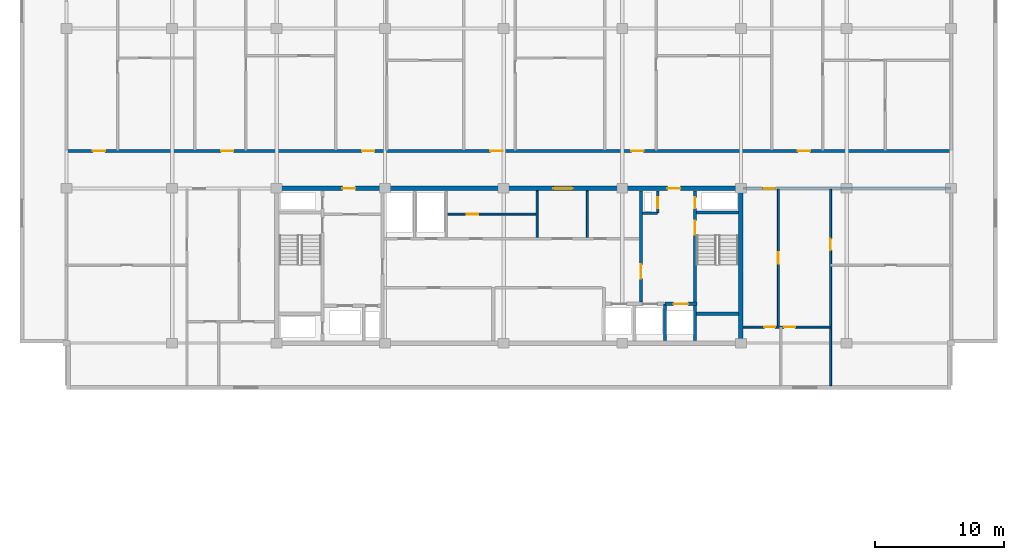
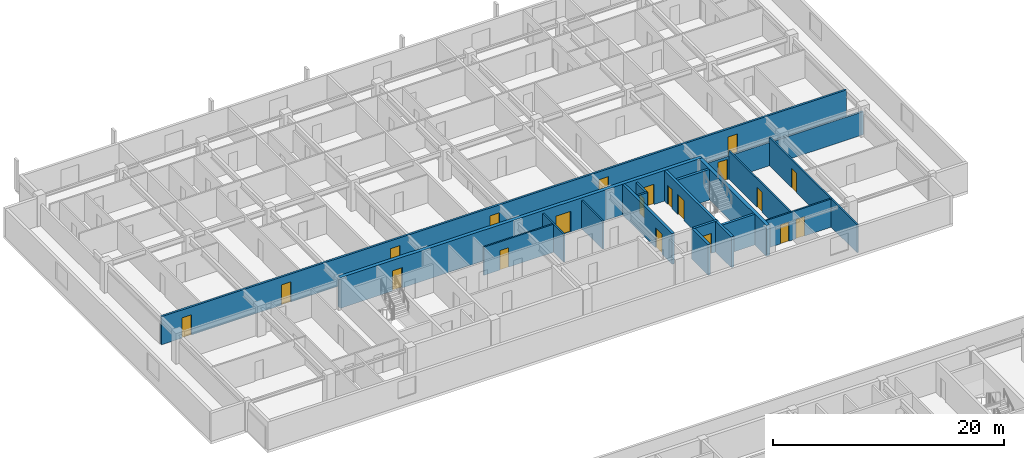
# One storey, part 10 of 17: 20 doors, 18 walls, 20 openings.
"""IFC4 building model written with IfcOpenShell, lengths in metres."""

from ifc_helpers import new_model, si_unit, direction, frame, frame_2d, origin, place, context, subcontext, project, spatial, rectangle, extrude, material, layer, layer_set, type_object, element, fill, save


model = new_model("IFC4")

# Units and contexts
model_context = context("Model", 3, precision=1e-05, world=origin(), true_north=direction((0.0, 1.0)))
body_context = subcontext(model_context, "Body", "Model", "MODEL_VIEW")
ifc_project = project(units=[si_unit("LENGTHUNIT", "METRE"), si_unit("AREAUNIT", "SQUARE_METRE"), si_unit("VOLUMEUNIT", "CUBIC_METRE"), si_unit("PLANEANGLEUNIT", "RADIAN"), si_unit("MASSUNIT", "GRAM", prefix="KILO")], contexts=[model_context])

# Site, building, storey
site_placement = place(None, origin())
site = spatial("IfcSite", under=ifc_project, at=site_placement, CompositionType="ELEMENT")
building_placement = place(site_placement, origin())
building = spatial("IfcBuilding", under=site, at=building_placement, Name="Korimba Cascade Residences", CompositionType="ELEMENT")
storey_placement = place(building_placement, frame((0.0, 0.0, 204.35009765625)))
storey = spatial("IfcBuildingStorey", under=building, at=storey_placement, Name="L59", CompositionType="ELEMENT", Elevation=204.35009765625)

# Wall
ifc_material_1 = material(Name="Concrete C65/80", Category="concrete")
ifc_layer_1 = layer(ifc_material_1, 0.35009765625)
ifc_layer_set_1 = layer_set([ifc_layer_1], Name="Concrete C65/80")
wall_type_1 = type_object("IfcWallType", Name="WAL-CORE-350", PredefinedType="SHEAR", material=ifc_layer_set_1)
wall_1_placement = place(storey_placement, frame((112.074951171875, 55.375, 0.0), z_axis=(0.0, 0.0, 1.0), x_axis=(0.0, 1.0, 0.0)))
element("IfcWall", 1, at=wall_1_placement, inside=storey, type_object=wall_type_1, Name="L59 Core Shear Wall CW-L59-T1-E", PredefinedType="SHEAR", context=body_context, shape_type="SweptSolid", body=[
    extrude(rectangle(XDim=11.64990234375, YDim=0.35009765625, at=frame_2d((5.824951171875, 0.0))), origin(), (0.0, 0.0, 1.0), 3.25),
])

# Wall, openings, doors
wall_2_placement = place(storey_placement, frame((75.949951171875, 67.199951171875, 0.0), z_axis=(0.0, 0.0, 1.0), x_axis=(1.0, 0.0, 0.0)))
wall_2 = element("IfcWall", 2, at=wall_2_placement, inside=storey, type_object=wall_type_1, Name="L59 Core Shear Wall CW-L59-T1-N", PredefinedType="SHEAR", context=body_context, shape_type="SweptSolid", body=[
    extrude(rectangle(XDim=36.300048828125, YDim=0.35009765625, at=frame_2d((18.14990234375, 0.0))), origin(), (0.0, 0.0, 1.0), 3.25),
])
opening_1_placement = place(wall_2_placement, frame((5.25, 0.0, 0.0)))
opening_1 = element("IfcOpeningElement", 3, at=opening_1_placement, cuts=wall_2, Name="Opening D-FD5", PredefinedType="OPENING", context=body_context, shape_type="SweptSolid", body=[
    extrude(rectangle(XDim=1.0, YDim=2.14990234375, at=frame_2d((0.5, 1.074951171875))), frame((0.0, 0.18505859375, 0.0), z_axis=(0.0, -1.0, 0.0), x_axis=(1.0, 0.0, 0.0)), (0.0, 0.0, 1.0), 0.3701171875),
])
opening_2_placement = place(wall_2_placement, frame((21.60009765625, 0.0, 0.0)))
opening_2 = element("IfcOpeningElement", 4, at=opening_2_placement, cuts=wall_2, Name="Opening D-FD8", PredefinedType="OPENING", context=body_context, shape_type="SweptSolid", body=[
    extrude(rectangle(XDim=1.5, YDim=2.199951171875, at=frame_2d((0.75, 1.10009765625))), frame((0.0, 0.18505859375, 0.0), z_axis=(0.0, -1.0, 0.0), x_axis=(1.0, 0.0, 0.0)), (0.0, 0.0, 1.0), 0.3701171875),
])
opening_3_placement = place(wall_2_placement, frame((30.449951171875, 0.0, 0.0)))
opening_3 = element("IfcOpeningElement", 5, at=opening_3_placement, cuts=wall_2, Name="Opening D-FD5", PredefinedType="OPENING", context=body_context, shape_type="SweptSolid", body=[
    extrude(rectangle(XDim=1.0, YDim=2.14990234375, at=frame_2d((0.5, 1.074951171875))), frame((0.0, 0.18505859375, 0.0), z_axis=(0.0, -1.0, 0.0), x_axis=(1.0, 0.0, 0.0)), (0.0, 0.0, 1.0), 0.3701171875),
])
ifc_material_2 = material(Name="Fire-Rated Acoustic Timber Vestibule Door", Category="wood")
door_type_1 = type_object("IfcDoorType", Name="DR-FD90-1000", OperationType="NOTDEFINED", PredefinedType="DOOR", material=ifc_material_2)
door_1_placement = place(opening_1_placement, origin())
door_1 = element("IfcDoor", 6, at=door_1_placement, inside=storey, type_object=door_type_1, Name="L59 T1 West Core Vestibule Fire Door", OperationType="SINGLE_SWING_RIGHT", OverallHeight=2.14990234375, OverallWidth=1.0, PredefinedType="DOOR", context=body_context, shape_type="SweptSolid", body=[
    extrude(rectangle(XDim=1.0, YDim=2.14990234375, at=frame_2d((0.5, 1.074951171875))), frame((0.0, 0.02490234375, 0.0), z_axis=(0.0, -1.0, 0.0), x_axis=(1.0, 0.0, 0.0)), (0.0, 0.0, 1.0), 0.050048828125),
])
fill(opening_1, door_1)
door_2_placement = place(opening_3_placement, origin())
door_2 = element("IfcDoor", 7, at=door_2_placement, inside=storey, type_object=door_type_1, Name="L59 T1 East Firefighting Vestibule Fire Door", OperationType="SINGLE_SWING_LEFT", OverallHeight=2.14990234375, OverallWidth=1.0, PredefinedType="DOOR", context=body_context, shape_type="SweptSolid", body=[
    extrude(rectangle(XDim=1.0, YDim=2.14990234375, at=frame_2d((0.5, 1.074951171875))), frame((0.0, 0.02490234375, 0.0), z_axis=(0.0, -1.0, 0.0), x_axis=(1.0, 0.0, 0.0)), (0.0, 0.0, 1.0), 0.050048828125),
])
fill(opening_3, door_2)
ifc_material_3 = material(Name="Fire-Rated Glazed Lift Lobby Double Door", Category="glass")
door_type_2 = type_object("IfcDoorType", Name="DR-FD90-1500", OperationType="NOTDEFINED", PredefinedType="DOOR", material=ifc_material_3)
door_3_placement = place(opening_2_placement, origin())
door_3 = element("IfcDoor", 8, at=door_3_placement, inside=storey, type_object=door_type_2, Name="L59 T1 Lift Lobby Fire Door", OperationType="DOUBLE_DOOR_SINGLE_SWING", OverallHeight=2.199951171875, OverallWidth=1.5, PredefinedType="DOOR", context=body_context, shape_type="SweptSolid", body=[
    extrude(rectangle(XDim=1.5, YDim=2.199951171875, at=frame_2d((0.75, 1.10009765625))), frame((0.0, 0.02490234375, 0.0), z_axis=(0.0, -1.0, 0.0), x_axis=(1.0, 0.0, 0.0)), (0.0, 0.0, 1.0), 0.050048828125),
])
fill(opening_2, door_3)

# Wall, opening, door
ifc_material_4 = material(Name="Precast concrete C40/50", Category="concrete")
ifc_layer_2 = layer(ifc_material_4, 0.199951171875)
ifc_layer_set_2 = layer_set([ifc_layer_2], Name="Precast concrete C40/50")
wall_type_2 = type_object("IfcWallType", Name="WAL-IT-200", PredefinedType="PARTITIONING", material=ifc_layer_set_2)
wall_3_placement = place(storey_placement, frame((112.25, 67.199951171875, 0.0), z_axis=(0.0, 0.0, 1.0), x_axis=(1.0, 0.0, 0.0)))
wall_3 = element("IfcWall", 9, at=wall_3_placement, inside=storey, type_object=wall_type_2, Name="L59 Partition Wall WAL-L59-T1-FE-N", PredefinedType="PARTITIONING", context=body_context, shape_type="SweptSolid", body=[
    extrude(rectangle(XDim=16.14990234375, YDim=0.199951171875, at=frame_2d((8.074951171875, 0.0))), origin(), (0.0, 0.0, 1.0), 2.443115234375),
])
opening_4_placement = place(wall_3_placement, frame((1.580078125, 0.0, 0.0)))
opening_4 = element("IfcOpeningElement", 10, at=opening_4_placement, cuts=wall_3, Name="Opening D-UN1", PredefinedType="OPENING", context=body_context, shape_type="SweptSolid", body=[
    extrude(rectangle(XDim=0.949951171875, YDim=2.14990234375, at=frame_2d((0.47509765625, 1.074951171875))), frame((0.0, 0.10986328125, 0.0), z_axis=(0.0, -1.0, 0.0), x_axis=(1.0, 0.0, 0.0)), (0.0, 0.0, 1.0), 0.219970703125),
])
ifc_material_5 = material(Name="Fire-Rated Hardwood Apartment Entrance Door", Category="wood")
door_type_3 = type_object("IfcDoorType", Name="DR-FD60-950", OperationType="NOTDEFINED", PredefinedType="DOOR", material=ifc_material_5)
door_4_placement = place(opening_4_placement, origin())
door_4 = element("IfcDoor", 11, at=door_4_placement, inside=storey, type_object=door_type_3, Name="L59-T1-FE Entrance Door", OperationType="SINGLE_SWING_RIGHT", OverallHeight=2.14990234375, OverallWidth=0.949951171875, PredefinedType="DOOR", context=body_context, shape_type="SweptSolid", body=[
    extrude(rectangle(XDim=0.949951171875, YDim=2.14990234375, at=frame_2d((0.47509765625, 1.074951171875))), frame((0.0, 0.02490234375, 0.0), z_axis=(0.0, -1.0, 0.0), x_axis=(1.0, 0.0, 0.0)), (0.0, 0.0, 1.0), 0.050048828125),
])
fill(opening_4, door_4)

# Wall, openings, doors
wall_4_placement = place(storey_placement, frame((59.800048828125, 70.10009765625, 0.0), z_axis=(0.0, 0.0, 1.0), x_axis=(1.0, 0.0, 0.0)))
wall_4 = element("IfcWall", 12, at=wall_4_placement, inside=storey, type_object=wall_type_2, Name="L59 Partition Wall WAL-L59-T1-CORN", PredefinedType="PARTITIONING", context=body_context, shape_type="SweptSolid", body=[
    extrude(rectangle(XDim=68.599853515625, YDim=0.199951171875, at=frame_2d((34.2998046875, 0.0))), origin(), (0.0, 0.0, 1.0), 2.97998046875),
])
opening_5_placement = place(wall_4_placement, frame((2.044921875, 0.0, 0.0)))
opening_5 = element("IfcOpeningElement", 13, at=opening_5_placement, cuts=wall_4, Name="Opening D-UN1", PredefinedType="OPENING", context=body_context, shape_type="SweptSolid", body=[
    extrude(rectangle(XDim=0.949951171875, YDim=2.14990234375, at=frame_2d((0.47509765625, 1.074951171875))), frame((0.0, 0.10986328125, 0.0), z_axis=(0.0, -1.0, 0.0), x_axis=(1.0, 0.0, 0.0)), (0.0, 0.0, 1.0), 0.219970703125),
])
opening_6_placement = place(wall_4_placement, frame((11.987060546875, 0.0, 0.0)))
opening_6 = element("IfcOpeningElement", 14, at=opening_6_placement, cuts=wall_4, Name="Opening D-UN1", PredefinedType="OPENING", context=body_context, shape_type="SweptSolid", body=[
    extrude(rectangle(XDim=0.949951171875, YDim=2.14990234375, at=frame_2d((0.47509765625, 1.074951171875))), frame((0.0, 0.10986328125, 0.0), z_axis=(0.0, -1.0, 0.0), x_axis=(1.0, 0.0, 0.0)), (0.0, 0.0, 1.0), 0.219970703125),
])
opening_7_placement = place(wall_4_placement, frame((22.923095703125, 0.0, 0.0)))
opening_7 = element("IfcOpeningElement", 15, at=opening_7_placement, cuts=wall_4, Name="Opening D-UN1", PredefinedType="OPENING", context=body_context, shape_type="SweptSolid", body=[
    extrude(rectangle(XDim=0.949951171875, YDim=2.14990234375, at=frame_2d((0.47509765625, 1.074951171875))), frame((0.0, 0.10986328125, 0.0), z_axis=(0.0, -1.0, 0.0), x_axis=(1.0, 0.0, 0.0)), (0.0, 0.0, 1.0), 0.219970703125),
])
opening_8_placement = place(wall_4_placement, frame((32.865234375, 0.0, 0.0)))
opening_8 = element("IfcOpeningElement", 16, at=opening_8_placement, cuts=wall_4, Name="Opening D-UN1", PredefinedType="OPENING", context=body_context, shape_type="SweptSolid", body=[
    extrude(rectangle(XDim=0.949951171875, YDim=2.14990234375, at=frame_2d((0.47509765625, 1.074951171875))), frame((0.0, 0.10986328125, 0.0), z_axis=(0.0, -1.0, 0.0), x_axis=(1.0, 0.0, 0.0)), (0.0, 0.0, 1.0), 0.219970703125),
])
opening_9_placement = place(wall_4_placement, frame((43.801513671875, 0.0, 0.0)))
opening_9 = element("IfcOpeningElement", 17, at=opening_9_placement, cuts=wall_4, Name="Opening D-UN1", PredefinedType="OPENING", context=body_context, shape_type="SweptSolid", body=[
    extrude(rectangle(XDim=0.949951171875, YDim=2.14990234375, at=frame_2d((0.47509765625, 1.074951171875))), frame((0.0, 0.10986328125, 0.0), z_axis=(0.0, -1.0, 0.0), x_axis=(1.0, 0.0, 0.0)), (0.0, 0.0, 1.0), 0.219970703125),
])
opening_10_placement = place(wall_4_placement, frame((56.72607421875, 0.0, 0.0)))
opening_10 = element("IfcOpeningElement", 18, at=opening_10_placement, cuts=wall_4, Name="Opening D-UN1", PredefinedType="OPENING", context=body_context, shape_type="SweptSolid", body=[
    extrude(rectangle(XDim=0.949951171875, YDim=2.14990234375, at=frame_2d((0.47509765625, 1.074951171875))), frame((0.0, 0.10986328125, 0.0), z_axis=(0.0, -1.0, 0.0), x_axis=(1.0, 0.0, 0.0)), (0.0, 0.0, 1.0), 0.219970703125),
])
door_5_placement = place(opening_5_placement, origin())
door_5 = element("IfcDoor", 19, at=door_5_placement, inside=storey, type_object=door_type_3, Name="Unit L59-T1-U01 Entrance Door", OperationType="SINGLE_SWING_LEFT", OverallHeight=2.14990234375, OverallWidth=0.949951171875, PredefinedType="DOOR", context=body_context, shape_type="SweptSolid", body=[
    extrude(rectangle(XDim=0.949951171875, YDim=2.14990234375, at=frame_2d((0.47509765625, 1.074951171875))), frame((0.0, 0.02490234375, 0.0), z_axis=(0.0, -1.0, 0.0), x_axis=(1.0, 0.0, 0.0)), (0.0, 0.0, 1.0), 0.050048828125),
])
fill(opening_5, door_5)
door_6_placement = place(opening_6_placement, origin())
door_6 = element("IfcDoor", 20, at=door_6_placement, inside=storey, type_object=door_type_3, Name="Unit L59-T1-U02 Entrance Door", OperationType="SINGLE_SWING_RIGHT", OverallHeight=2.14990234375, OverallWidth=0.949951171875, PredefinedType="DOOR", context=body_context, shape_type="SweptSolid", body=[
    extrude(rectangle(XDim=0.949951171875, YDim=2.14990234375, at=frame_2d((0.47509765625, 1.074951171875))), frame((0.0, 0.02490234375, 0.0), z_axis=(0.0, -1.0, 0.0), x_axis=(1.0, 0.0, 0.0)), (0.0, 0.0, 1.0), 0.050048828125),
])
fill(opening_6, door_6)
door_7_placement = place(opening_7_placement, origin())
door_7 = element("IfcDoor", 21, at=door_7_placement, inside=storey, type_object=door_type_3, Name="Unit L59-T1-U03 Entrance Door", OperationType="SINGLE_SWING_LEFT", OverallHeight=2.14990234375, OverallWidth=0.949951171875, PredefinedType="DOOR", context=body_context, shape_type="SweptSolid", body=[
    extrude(rectangle(XDim=0.949951171875, YDim=2.14990234375, at=frame_2d((0.47509765625, 1.074951171875))), frame((0.0, 0.02490234375, 0.0), z_axis=(0.0, -1.0, 0.0), x_axis=(1.0, 0.0, 0.0)), (0.0, 0.0, 1.0), 0.050048828125),
])
fill(opening_7, door_7)
door_8_placement = place(opening_8_placement, origin())
door_8 = element("IfcDoor", 22, at=door_8_placement, inside=storey, type_object=door_type_3, Name="Unit L59-T1-U04 Entrance Door", OperationType="SINGLE_SWING_RIGHT", OverallHeight=2.14990234375, OverallWidth=0.949951171875, PredefinedType="DOOR", context=body_context, shape_type="SweptSolid", body=[
    extrude(rectangle(XDim=0.949951171875, YDim=2.14990234375, at=frame_2d((0.47509765625, 1.074951171875))), frame((0.0, 0.02490234375, 0.0), z_axis=(0.0, -1.0, 0.0), x_axis=(1.0, 0.0, 0.0)), (0.0, 0.0, 1.0), 0.050048828125),
])
fill(opening_8, door_8)
door_9_placement = place(opening_9_placement, origin())
door_9 = element("IfcDoor", 23, at=door_9_placement, inside=storey, type_object=door_type_3, Name="Unit L59-T1-U05 Entrance Door", OperationType="SINGLE_SWING_LEFT", OverallHeight=2.14990234375, OverallWidth=0.949951171875, PredefinedType="DOOR", context=body_context, shape_type="SweptSolid", body=[
    extrude(rectangle(XDim=0.949951171875, YDim=2.14990234375, at=frame_2d((0.47509765625, 1.074951171875))), frame((0.0, 0.02490234375, 0.0), z_axis=(0.0, -1.0, 0.0), x_axis=(1.0, 0.0, 0.0)), (0.0, 0.0, 1.0), 0.050048828125),
])
fill(opening_9, door_9)
door_10_placement = place(opening_10_placement, origin())
door_10 = element("IfcDoor", 24, at=door_10_placement, inside=storey, type_object=door_type_3, Name="Unit L59-T1-U06 Entrance Door", OperationType="SINGLE_SWING_RIGHT", OverallHeight=2.14990234375, OverallWidth=0.949951171875, PredefinedType="DOOR", context=body_context, shape_type="SweptSolid", body=[
    extrude(rectangle(XDim=0.949951171875, YDim=2.14990234375, at=frame_2d((0.47509765625, 1.074951171875))), frame((0.0, 0.02490234375, 0.0), z_axis=(0.0, -1.0, 0.0), x_axis=(1.0, 0.0, 0.0)), (0.0, 0.0, 1.0), 0.050048828125),
])
fill(opening_10, door_10)

# Wall, opening, door
ifc_material_6 = material(Name="Insulated Acoustic Stud Partition", Category="gypsum")
ifc_layer_3 = layer(ifc_material_6, 0.14990234375)
ifc_layer_set_3 = layer_set([ifc_layer_3], Name="Insulated Acoustic Stud Partition")
wall_type_3 = type_object("IfcWallType", Name="WAL-PART-150", PredefinedType="PARTITIONING", material=ifc_layer_set_3)
wall_5_placement = place(storey_placement, frame((89.25, 65.199951171875, 0.0), z_axis=(0.0, 0.0, 1.0), x_axis=(1.0, 0.0, 0.0)))
wall_5 = element("IfcWall", 25, at=wall_5_placement, inside=storey, type_object=wall_type_3, Name="L59 Partition Wall CW-L59-T1-CA2HZ", PredefinedType="PARTITIONING", context=body_context, shape_type="SweptSolid", body=[
    extrude(rectangle(XDim=7.050048828125, YDim=0.14990234375, at=frame_2d((3.52490234375, 0.0))), origin(), (0.0, 0.0, 1.0), 2.97998046875),
])
opening_11_placement = place(wall_5_placement, frame((1.60009765625, 0.0, 0.0)))
opening_11 = element("IfcOpeningElement", 26, at=opening_11_placement, cuts=wall_5, Name="Opening D-IN2", PredefinedType="OPENING", context=body_context, shape_type="SweptSolid", body=[
    extrude(rectangle(XDim=0.8798828125, YDim=2.06005859375, at=frame_2d((0.43994140625, 1.030029296875))), frame((0.0, 0.0849609375, 0.0), z_axis=(0.0, -1.0, 0.0), x_axis=(1.0, 0.0, 0.0)), (0.0, 0.0, 1.0), 0.169921875),
])
ifc_material_7 = material(Name="Acoustic Timber Bedroom Door", Category="wood")
door_type_4 = type_object("IfcDoorType", Name="DR-INT-880", OperationType="NOTDEFINED", PredefinedType="DOOR", material=ifc_material_7)
door_11_placement = place(opening_11_placement, origin())
door_11 = element("IfcDoor", 27, at=door_11_placement, inside=storey, type_object=door_type_4, Name="L59 Pram Store Door", OperationType="SINGLE_SWING_RIGHT", OverallHeight=2.06005859375, OverallWidth=0.8798828125, PredefinedType="DOOR", context=body_context, shape_type="SweptSolid", body=[
    extrude(rectangle(XDim=0.8798828125, YDim=2.06005859375, at=frame_2d((0.43994140625, 1.030029296875))), frame((0.0, 0.02490234375, 0.0), z_axis=(0.0, -1.0, 0.0), x_axis=(1.0, 0.0, 0.0)), (0.0, 0.0, 1.0), 0.050048828125),
])
fill(opening_11, door_11)

# Walls
for number, where, z_axis, x_axis, name in (
    (28, (96.300048828125, 63.39990234375, 0.0), (0.0, 0.0, 1.0), (0.0, 1.0, 0.0), "L59 Partition Wall CW-L59-T1-THW"),
    (29, (100.199951171875, 63.39990234375, 0.0), (0.0, 0.0, 1.0), (0.0, 1.0, 0.0), "L59 Partition Wall CW-L59-T1-THE"),
):
    element("IfcWall", number, at=place(storey_placement, frame(where, z_axis=z_axis, x_axis=x_axis)), inside=storey, type_object=wall_type_3, Name=name, PredefinedType="PARTITIONING", context=body_context, shape_type="SweptSolid", body=[
        extrude(rectangle(XDim=3.60009765625, YDim=0.14990234375, at=frame_2d((1.800048828125, 0.0))), origin(), (0.0, 0.0, 1.0), 2.97998046875),
    ])

# Wall, opening, door
wall_6_placement = place(storey_placement, frame((119.050048828125, 51.89990234375, 0.0), z_axis=(0.0, 0.0, 1.0), x_axis=(0.0, 1.0, 0.0)))
wall_6 = element("IfcWall", 30, at=wall_6_placement, inside=storey, type_object=wall_type_3, Name="L59 Partition Wall WAL-L59-T1-FE-STV", PredefinedType="PARTITIONING", context=body_context, shape_type="SweptSolid", body=[
    extrude(rectangle(XDim=15.25, YDim=0.14990234375, at=frame_2d((7.625, 0.0))), origin(), (0.0, 0.0, 1.0), 2.97998046875),
])
opening_12_placement = place(wall_6_placement, frame((10.5, 0.0, 0.0)))
opening_12 = element("IfcOpeningElement", 31, at=opening_12_placement, cuts=wall_6, Name="Opening D-IN2", PredefinedType="OPENING", context=body_context, shape_type="SweptSolid", body=[
    extrude(rectangle(XDim=0.8798828125, YDim=2.06005859375, at=frame_2d((0.43994140625, 1.030029296875))), frame((0.0, 0.0849609375, 0.0), z_axis=(0.0, -1.0, 0.0), x_axis=(1.0, 0.0, 0.0)), (0.0, 0.0, 1.0), 0.169921875),
])
door_12_placement = place(opening_12_placement, origin())
door_12 = element("IfcDoor", 32, at=door_12_placement, inside=storey, type_object=door_type_4, Name="L59-T1-FE Study Door", OperationType="SINGLE_SWING_RIGHT", OverallHeight=2.06005859375, OverallWidth=0.8798828125, PredefinedType="DOOR", context=body_context, shape_type="SweptSolid", body=[
    extrude(rectangle(XDim=0.8798828125, YDim=2.06005859375, at=frame_2d((0.43994140625, 1.030029296875))), frame((0.0, 0.02490234375, 0.0), z_axis=(0.0, -1.0, 0.0), x_axis=(1.0, 0.0, 0.0)), (0.0, 0.0, 1.0), 0.050048828125),
])
fill(opening_12, door_12)

wall_7_placement = place(storey_placement, frame((115.0, 56.449951171875, 0.0), z_axis=(0.0, 0.0, 1.0), x_axis=(0.0, 1.0, 0.0)))
wall_7 = element("IfcWall", 33, at=wall_7_placement, inside=storey, type_object=wall_type_3, Name="L59 Partition Wall WAL-L59-T1-FE-VN", PredefinedType="PARTITIONING", context=body_context, shape_type="SweptSolid", body=[
    extrude(rectangle(XDim=10.699951171875, YDim=0.14990234375, at=frame_2d((5.35009765625, 0.0))), origin(), (0.0, 0.0, 1.0), 2.97998046875),
])
opening_13_placement = place(wall_7_placement, frame((4.889892578125, 0.0, 0.0)))
opening_13 = element("IfcOpeningElement", 34, at=opening_13_placement, cuts=wall_7, Name="Opening D-IN1", PredefinedType="OPENING", context=body_context, shape_type="SweptSolid", body=[
    extrude(rectangle(XDim=0.919921875, YDim=2.080078125, at=frame_2d((0.4599609375, 1.0400390625))), frame((0.0, 0.0849609375, 0.0), z_axis=(0.0, -1.0, 0.0), x_axis=(1.0, 0.0, 0.0)), (0.0, 0.0, 1.0), 0.169921875),
])
ifc_material_8 = material(Name="Acoustic Timber Living Door", Category="wood")
door_type_5 = type_object("IfcDoorType", Name="DR-INT-920", OperationType="NOTDEFINED", PredefinedType="DOOR", material=ifc_material_8)
door_13_placement = place(opening_13_placement, origin())
door_13 = element("IfcDoor", 35, at=door_13_placement, inside=storey, type_object=door_type_5, Name="L59-T1-FE Living Door", OperationType="SINGLE_SWING_LEFT", OverallHeight=2.080078125, OverallWidth=0.919921875, PredefinedType="DOOR", context=body_context, shape_type="SweptSolid", body=[
    extrude(rectangle(XDim=0.919921875, YDim=2.080078125, at=frame_2d((0.4599609375, 1.0400390625))), frame((0.0, 0.02490234375, 0.0), z_axis=(0.0, -1.0, 0.0), x_axis=(1.0, 0.0, 0.0)), (0.0, 0.0, 1.0), 0.050048828125),
])
fill(opening_13, door_13)

# Wall, openings, doors
wall_8_placement = place(storey_placement, frame((112.27001953125, 56.449951171875, 0.0), z_axis=(0.0, 0.0, 1.0), x_axis=(1.0, 0.0, 0.0)))
wall_8 = element("IfcWall", 36, at=wall_8_placement, inside=storey, type_object=wall_type_3, Name="L59 Partition Wall WAL-L59-T1-FE-H", PredefinedType="PARTITIONING", context=body_context, shape_type="SweptSolid", body=[
    extrude(rectangle(XDim=6.760009765625, YDim=0.14990234375, at=frame_2d((3.3798828125, 0.0))), origin(), (0.0, 0.0, 1.0), 2.97998046875),
])
opening_14_placement = place(wall_8_placement, frame((1.6396484375, 0.0, 0.0)))
opening_14 = element("IfcOpeningElement", 37, at=opening_14_placement, cuts=wall_8, Name="Opening D-BT1", PredefinedType="OPENING", context=body_context, shape_type="SweptSolid", body=[
    extrude(rectangle(XDim=0.840087890625, YDim=2.0400390625, at=frame_2d((0.419921875, 1.02001953125))), frame((0.0, 0.0849609375, 0.0), z_axis=(0.0, -1.0, 0.0), x_axis=(1.0, 0.0, 0.0)), (0.0, 0.0, 1.0), 0.169921875),
])
opening_15_placement = place(wall_8_placement, frame((3.160400390625, 0.0, 0.0)))
opening_15 = element("IfcOpeningElement", 38, at=opening_15_placement, cuts=wall_8, Name="Opening D-IN2", PredefinedType="OPENING", context=body_context, shape_type="SweptSolid", body=[
    extrude(rectangle(XDim=0.8798828125, YDim=2.06005859375, at=frame_2d((0.43994140625, 1.030029296875))), frame((0.0, 0.0849609375, 0.0), z_axis=(0.0, -1.0, 0.0), x_axis=(1.0, 0.0, 0.0)), (0.0, 0.0, 1.0), 0.169921875),
])
ifc_material_9 = material(Name="Moisture-Resistant Bathroom Timber Door", Category="wood")
door_type_6 = type_object("IfcDoorType", Name="DR-INT-850", OperationType="NOTDEFINED", PredefinedType="DOOR", material=ifc_material_9)
door_14_placement = place(opening_14_placement, origin())
door_14 = element("IfcDoor", 39, at=door_14_placement, inside=storey, type_object=door_type_6, Name="L59-T1-FE Bathroom Door", OperationType="SINGLE_SWING_RIGHT", OverallHeight=2.0400390625, OverallWidth=0.840087890625, PredefinedType="DOOR", context=body_context, shape_type="SweptSolid", body=[
    extrude(rectangle(XDim=0.840087890625, YDim=2.0400390625, at=frame_2d((0.419921875, 1.02001953125))), frame((0.0, 0.02490234375, 0.0), z_axis=(0.0, -1.0, 0.0), x_axis=(1.0, 0.0, 0.0)), (0.0, 0.0, 1.0), 0.050048828125),
])
fill(opening_14, door_14)
door_15_placement = place(opening_15_placement, origin())
door_15 = element("IfcDoor", 40, at=door_15_placement, inside=storey, type_object=door_type_4, Name="L59-T1-FE Bedroom Door", OperationType="SINGLE_SWING_LEFT", OverallHeight=2.06005859375, OverallWidth=0.8798828125, PredefinedType="DOOR", context=body_context, shape_type="SweptSolid", body=[
    extrude(rectangle(XDim=0.8798828125, YDim=2.06005859375, at=frame_2d((0.43994140625, 1.030029296875))), frame((0.0, 0.02490234375, 0.0), z_axis=(0.0, -1.0, 0.0), x_axis=(1.0, 0.0, 0.0)), (0.0, 0.0, 1.0), 0.050048828125),
])
fill(opening_15, door_15)

# Wall
ifc_material_10 = material(Name="Concrete C40/50", Category="concrete")
ifc_layer_4 = layer(ifc_material_10, 0.199951171875)
ifc_layer_set_4 = layer_set([ifc_layer_4], Name="Concrete C40/50")
wall_type_4 = type_object("IfcWallType", Name="WAL-PART-200", PredefinedType="PARTITIONING", material=ifc_layer_set_4)
wall_9_placement = place(storey_placement, frame((104.449951171875, 65.280029296875, 0.0), z_axis=(0.0, 0.0, 1.0), x_axis=(1.0, 0.0, 0.0)))
element("IfcWall", 41, at=wall_9_placement, inside=storey, type_object=wall_type_4, Name="L59 Partition Wall CW-L59-T1-HYDW2S", PredefinedType="PARTITIONING", context=body_context, shape_type="SweptSolid", body=[
    extrude(rectangle(XDim=1.199951171875, YDim=0.199951171875, at=frame_2d((0.60009765625, 0.0))), origin(), (0.0, 0.0, 1.0), 2.97998046875),
])

# Wall, opening, door
wall_10_placement = place(storey_placement, frame((105.64990234375, 65.280029296875, 0.0), z_axis=(0.0, 0.0, 1.0), x_axis=(0.0, 1.0, 0.0)))
wall_10 = element("IfcWall", 42, at=wall_10_placement, inside=storey, type_object=wall_type_4, Name="L59 Partition Wall CW-L59-T1-HYDW2E", PredefinedType="PARTITIONING", context=body_context, shape_type="SweptSolid", body=[
    extrude(rectangle(XDim=1.719970703125, YDim=0.199951171875, at=frame_2d((0.85986328125, 0.0))), origin(), (0.0, 0.0, 1.0), 2.97998046875),
])
opening_16_placement = place(wall_10_placement, frame((0.39990234375, 0.0, 0.0)))
opening_16 = element("IfcOpeningElement", 43, at=opening_16_placement, cuts=wall_10, Name="Opening D-RS1", PredefinedType="OPENING", context=body_context, shape_type="SweptSolid", body=[
    extrude(rectangle(XDim=0.85009765625, YDim=2.050048828125, at=frame_2d((0.425048828125, 1.02490234375))), frame((0.0, 0.10986328125, 0.0), z_axis=(0.0, -1.0, 0.0), x_axis=(1.0, 0.0, 0.0)), (0.0, 0.0, 1.0), 0.219970703125),
])
ifc_material_11 = material(Name="Fire-Rated Steel Riser Access Door", Category="steel")
door_type_7 = type_object("IfcDoorType", Name="DR-FD60-850", OperationType="NOTDEFINED", PredefinedType="DOOR", material=ifc_material_11)
door_16_placement = place(opening_16_placement, origin())
door_16 = element("IfcDoor", 44, at=door_16_placement, inside=storey, type_object=door_type_7, Name="L59 East Hydrant Door", OperationType="SINGLE_SWING_LEFT", OverallHeight=2.050048828125, OverallWidth=0.85009765625, PredefinedType="DOOR", context=body_context, shape_type="SweptSolid", body=[
    extrude(rectangle(XDim=0.85009765625, YDim=2.050048828125, at=frame_2d((0.425048828125, 1.02490234375))), frame((0.0, 0.02490234375, 0.0), z_axis=(0.0, -1.0, 0.0), x_axis=(1.0, 0.0, 0.0)), (0.0, 0.0, 1.0), 0.050048828125),
])
fill(opening_16, door_16)

# Wall
ifc_material_12 = material(Name="Concrete C50/60", Category="concrete")
ifc_layer_5 = layer(ifc_material_12, 0.25)
ifc_layer_set_5 = layer_set([ifc_layer_5], Name="Concrete C50/60")
wall_type_5 = type_object("IfcWallType", Name="WAL-SHAFT-250", PredefinedType="SHEAR", material=ifc_layer_set_5)
wall_11_placement = place(storey_placement, frame((106.219970703125, 55.39990234375, 0.0), z_axis=(0.0, 0.0, 1.0), x_axis=(0.0, 1.0, 0.0)))
element("IfcWall", 45, at=wall_11_placement, inside=storey, type_object=wall_type_5, Name="L59 Core Shear Wall CW-L59-T1-FF2W", PredefinedType="SHEAR", context=body_context, shape_type="SweptSolid", body=[
    extrude(rectangle(XDim=2.85009765625, YDim=0.25, at=frame_2d((1.425048828125, 0.0))), origin(), (0.0, 0.0, 1.0), 3.25),
])

# Wall, opening, door
wall_12_placement = place(storey_placement, frame((106.219970703125, 58.25, 0.0), z_axis=(0.0, 0.0, 1.0), x_axis=(1.0, 0.0, 0.0)))
wall_12 = element("IfcWall", 46, at=wall_12_placement, inside=storey, type_object=wall_type_5, Name="L59 Core Shear Wall CW-L59-T1-FF2N", PredefinedType="SHEAR", context=body_context, shape_type="SweptSolid", body=[
    extrude(rectangle(XDim=2.4599609375, YDim=0.25, at=frame_2d((1.22998046875, 0.0))), origin(), (0.0, 0.0, 1.0), 3.25),
])
opening_17_placement = place(wall_12_placement, frame((0.669921875, 0.0, 0.0)))
opening_17 = element("IfcOpeningElement", 47, at=opening_17_placement, cuts=wall_12, Name="Opening LD-01", PredefinedType="OPENING", context=body_context, shape_type="SweptSolid", body=[
    extrude(rectangle(XDim=1.1201171875, YDim=2.1201171875, at=frame_2d((0.56005859375, 1.06005859375))), frame((0.0, 0.135009765625, 0.0), z_axis=(0.0, -1.0, 0.0), x_axis=(1.0, 0.0, 0.0)), (0.0, 0.0, 1.0), 0.27001953125),
])
ifc_material_13 = material(Name="Stainless Steel Lift Landing Sliding Door", Category="steel")
door_type_8 = type_object("IfcDoorType", Name="DR-LIFT-1100", OperationType="NOTDEFINED", PredefinedType="DOOR", material=ifc_material_13)
door_17_placement = place(opening_17_placement, origin())
door_17 = element("IfcDoor", 48, at=door_17_placement, inside=storey, type_object=door_type_8, Name="L59 Firefighting Lift Landing Door FFL-W2", OperationType="SLIDING_TO_RIGHT", OverallHeight=2.1201171875, OverallWidth=1.1201171875, PredefinedType="DOOR", context=body_context, shape_type="SweptSolid", body=[
    extrude(rectangle(XDim=1.1201171875, YDim=2.1201171875, at=frame_2d((0.56005859375, 1.06005859375))), frame((0.0, 0.02490234375, 0.0), z_axis=(0.0, -1.0, 0.0), x_axis=(1.0, 0.0, 0.0)), (0.0, 0.0, 1.0), 0.050048828125),
])
fill(opening_17, door_17)

wall_13_placement = place(storey_placement, frame((104.35009765625, 58.39990234375, 0.0), z_axis=(0.0, 0.0, 1.0), x_axis=(0.0, 1.0, 0.0)))
wall_13 = element("IfcWall", 49, at=wall_13_placement, inside=storey, type_object=wall_type_5, Name="L59 Core Shear Wall CW-L59-T1-LLEV", PredefinedType="SHEAR", context=body_context, shape_type="SweptSolid", body=[
    extrude(rectangle(XDim=8.60009765625, YDim=0.25, at=frame_2d((4.300048828125, 0.0))), origin(), (0.0, 0.0, 1.0), 3.25),
])
opening_18_placement = place(wall_13_placement, frame((1.800048828125, 0.0, 0.0)))
opening_18 = element("IfcOpeningElement", 50, at=opening_18_placement, cuts=wall_13, Name="Opening D-FD1", PredefinedType="OPENING", context=body_context, shape_type="SweptSolid", body=[
    extrude(rectangle(XDim=1.10009765625, YDim=2.10009765625, at=frame_2d((0.550048828125, 1.050048828125))), frame((0.0, 0.135009765625, 0.0), z_axis=(0.0, -1.0, 0.0), x_axis=(1.0, 0.0, 0.0)), (0.0, 0.0, 1.0), 0.27001953125),
])
ifc_material_14 = material(Name="Fire-Rated Steel Core Door", Category="steel")
door_type_9 = type_object("IfcDoorType", Name="DR-FD120-1100", OperationType="NOTDEFINED", PredefinedType="DOOR", material=ifc_material_14)
door_18_placement = place(opening_18_placement, origin())
door_18 = element("IfcDoor", 51, at=door_18_placement, inside=storey, type_object=door_type_9, Name="L59 Lift Lobby to East Firefighting Lobby Door", OperationType="SINGLE_SWING_RIGHT", OverallHeight=2.10009765625, OverallWidth=1.10009765625, PredefinedType="DOOR", context=body_context, shape_type="SweptSolid", body=[
    extrude(rectangle(XDim=1.10009765625, YDim=2.10009765625, at=frame_2d((0.550048828125, 1.050048828125))), frame((0.0, 0.02490234375, 0.0), z_axis=(0.0, -1.0, 0.0), x_axis=(1.0, 0.0, 0.0)), (0.0, 0.0, 1.0), 0.050048828125),
])
fill(opening_18, door_18)

# Wall, openings, doors
wall_14_placement = place(storey_placement, frame((108.534912109375, 55.39990234375, 0.0), z_axis=(0.0, 0.0, 1.0), x_axis=(0.0, 1.0, 0.0)))
wall_14 = element("IfcWall", 52, at=wall_14_placement, inside=storey, type_object=wall_type_5, Name="L59 Core Shear Wall CW-L59-T1-STW2W", PredefinedType="SHEAR", context=body_context, shape_type="SweptSolid", body=[
    extrude(rectangle(XDim=11.60009765625, YDim=0.25, at=frame_2d((5.800048828125, 0.0))), origin(), (0.0, 0.0, 1.0), 3.25),
])
opening_19_placement = place(wall_14_placement, frame((8.199951171875, 0.0, 0.0)))
opening_19 = element("IfcOpeningElement", 53, at=opening_19_placement, cuts=wall_14, Name="Opening D-FD1", PredefinedType="OPENING", context=body_context, shape_type="SweptSolid", body=[
    extrude(rectangle(XDim=1.10009765625, YDim=2.10009765625, at=frame_2d((0.550048828125, 1.050048828125))), frame((0.0, 0.135009765625, 0.0), z_axis=(0.0, -1.0, 0.0), x_axis=(1.0, 0.0, 0.0)), (0.0, 0.0, 1.0), 0.27001953125),
])
opening_20_placement = place(wall_14_placement, frame((10.25, 0.0, 0.0)))
opening_20 = element("IfcOpeningElement", 54, at=opening_20_placement, cuts=wall_14, Name="Opening D-RS1", PredefinedType="OPENING", context=body_context, shape_type="SweptSolid", body=[
    extrude(rectangle(XDim=0.85009765625, YDim=2.050048828125, at=frame_2d((0.425048828125, 1.02490234375))), frame((0.0, 0.135009765625, 0.0), z_axis=(0.0, -1.0, 0.0), x_axis=(1.0, 0.0, 0.0)), (0.0, 0.0, 1.0), 0.27001953125),
])
door_19_placement = place(opening_19_placement, origin())
door_19 = element("IfcDoor", 55, at=door_19_placement, inside=storey, type_object=door_type_9, Name="L59 Fire Stair ST-W2 Door", OperationType="SINGLE_SWING_LEFT", OverallHeight=2.10009765625, OverallWidth=1.10009765625, PredefinedType="DOOR", context=body_context, shape_type="SweptSolid", body=[
    extrude(rectangle(XDim=1.10009765625, YDim=2.10009765625, at=frame_2d((0.550048828125, 1.050048828125))), frame((0.0, 0.02490234375, 0.0), z_axis=(0.0, -1.0, 0.0), x_axis=(1.0, 0.0, 0.0)), (0.0, 0.0, 1.0), 0.050048828125),
])
fill(opening_19, door_19)
door_20_placement = place(opening_20_placement, origin())
door_20 = element("IfcDoor", 56, at=door_20_placement, inside=storey, type_object=door_type_7, Name="L59 East Riser Door", OperationType="SINGLE_SWING_RIGHT", OverallHeight=2.050048828125, OverallWidth=0.85009765625, PredefinedType="DOOR", context=body_context, shape_type="SweptSolid", body=[
    extrude(rectangle(XDim=0.85009765625, YDim=2.050048828125, at=frame_2d((0.425048828125, 1.02490234375))), frame((0.0, 0.02490234375, 0.0), z_axis=(0.0, -1.0, 0.0), x_axis=(1.0, 0.0, 0.0)), (0.0, 0.0, 1.0), 0.050048828125),
])
fill(opening_20, door_20)

# Walls
for number, where, z_axis, x_axis, name in (
    (57, (108.659912109375, 57.47509765625, 0.0), (0.0, 0.0, 1.0), (1.0, 0.0, 0.0), "L59 Core Shear Wall CW-L59-T1-STW2S"),
    (58, (108.659912109375, 65.324951171875, 0.0), (0.0, 0.0, 1.0), (1.0, 0.0, 0.0), "L59 Core Shear Wall CW-L59-T1-STW2N"),
):
    element("IfcWall", number, at=place(storey_placement, frame(where, z_axis=z_axis, x_axis=x_axis)), inside=storey, type_object=wall_type_5, Name=name, PredefinedType="SHEAR", context=body_context, shape_type="SweptSolid", body=[
        extrude(rectangle(XDim=3.239990234375, YDim=0.25, at=frame_2d((1.6201171875, 0.0))), origin(), (0.0, 0.0, 1.0), 3.25),
    ])

save(model, "model.ifc")
